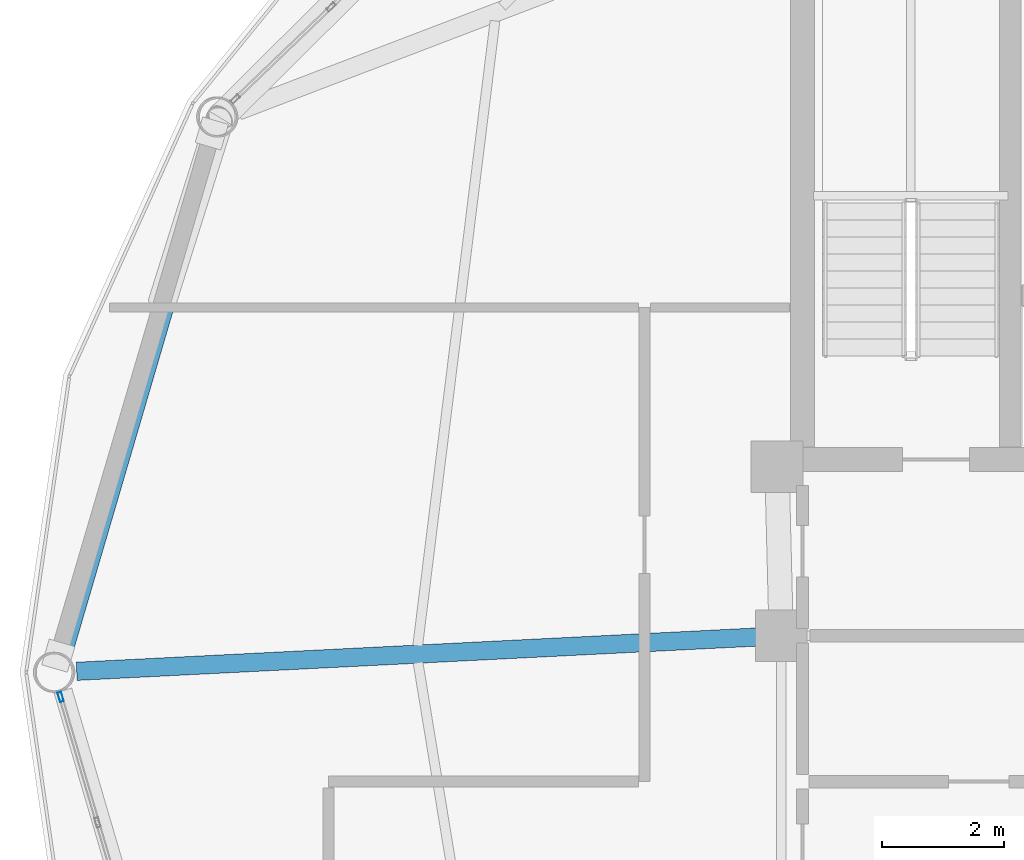
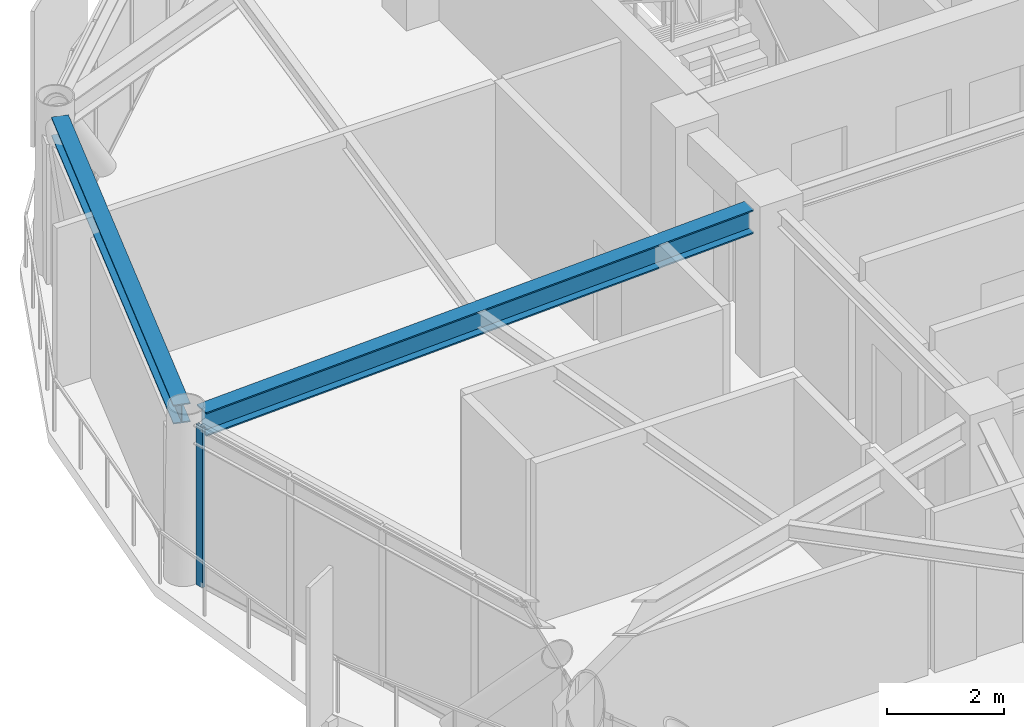
# One storey, part 11 of 28: 2 beams, 1 member, 1 element without a shape of its own.
"""IFC4 building model written with IfcOpenShell, lengths in metres."""

from ifc_helpers import new_model, si_unit, direction, frame, origin, origin_2d, place, context, subcontext, project, spatial, hollow_rectangle, i_section, extrude, material, layer, layer_set, material_profile, profile_set, type_object, element, aggregate, save


model = new_model("IFC4")

# Units and contexts
model_context = context("Model", 3, precision=1e-05, world=origin(), true_north=direction((0.0, 1.0)))
body_context = subcontext(model_context, "Body", "Model", "MODEL_VIEW")
ifc_project = project(units=[si_unit("LENGTHUNIT", "METRE"), si_unit("AREAUNIT", "SQUARE_METRE"), si_unit("VOLUMEUNIT", "CUBIC_METRE"), si_unit("PLANEANGLEUNIT", "RADIAN"), si_unit("MASSUNIT", "GRAM", prefix="KILO")], contexts=[model_context])

# Site, building, storey
site_placement = place(None, origin())
site = spatial("IfcSite", under=ifc_project, at=site_placement, CompositionType="ELEMENT")
building_placement = place(site_placement, origin())
building = spatial("IfcBuilding", under=site, at=building_placement, Name="Varnakorn Sky Granary", CompositionType="ELEMENT")
storey_placement = place(building_placement, frame((0.0, 0.0, 211.199951171875)))
storey = spatial("IfcBuildingStorey", under=building, at=storey_placement, Name="L53", CompositionType="ELEMENT", Elevation=211.199951171875)

# Beams
ifc_material_1 = material(Name="Steel S355JR", Category="steel")
ifc_material_profile_1 = material_profile(ifc_material_1, i_section(OverallWidth=0.300048828125, OverallDepth=0.5, WebThickness=0.014404296875, FlangeThickness=0.028076171875, at=origin_2d()), Name="HE 500 B")
ifc_profile_set_1 = profile_set([ifc_material_profile_1], Name="Steel S355JR")
beam_type_1 = type_object("IfcBeamType", Name="BM-RAD-Z4", PredefinedType="BEAM", material=ifc_profile_set_1)
beam_1_placement = place(storey_placement, frame((-2.75439453125, 0.57958984375, 3.110107421875), z_axis=(-0.998732583504, -0.050331169744, 0.0), x_axis=(0.050331169744, -0.998732583504, 0.0)))
element("IfcBeam", 1, at=beam_1_placement, inside=storey, type_object=beam_type_1, Name="Radial Floor Girder RG07 L53", PredefinedType="BEAM", context=body_context, shape_type="SweptSolid", body=[
    extrude(i_section(OverallWidth=0.300048828125, OverallDepth=0.5, WebThickness=0.014404296875, FlangeThickness=0.028076171875, at=origin_2d()), origin(), (0.0, 0.0, 1.0), 11.2001953125),
])
ifc_material_profile_2 = material_profile(ifc_material_1, i_section(OverallWidth=0.300048828125, OverallDepth=0.39990234375, WebThickness=0.013427734375, FlangeThickness=0.02392578125, at=origin_2d()), Name="HE 400 B")
ifc_profile_set_2 = profile_set([ifc_material_profile_2], Name="Steel S355JR")
beam_type_2 = type_object("IfcBeamType", Name="BM-SPD-Z4", PredefinedType="SPANDREL", material=ifc_profile_set_2)
beam_2_placement = place(storey_placement, frame((-11.667236328125, 8.818603515625, 3.16015625), z_axis=(-0.281566098607, -0.959541834479, 0.0), x_axis=(0.959541834479, -0.281566098607, 0.0)))
element("IfcBeam", 2, at=beam_2_placement, inside=storey, type_object=beam_type_2, Name="Perimeter Spandrel Ring Beam RB06 L53", PredefinedType="SPANDREL", context=body_context, shape_type="SweptSolid", body=[
    extrude(i_section(OverallWidth=0.300048828125, OverallDepth=0.39990234375, WebThickness=0.013427734375, FlangeThickness=0.02392578125, at=origin_2d()), origin(), (0.0, 0.0, 1.0), 8.87548828125),
])

# Curtain wall, member
ifc_material_2 = material(Name="Anodised Bronze Aluminium Alloy 6063-T6", Category="aluminium")
ifc_layer = layer(ifc_material_2, 0.169921875, Name="Anodised Bronze Aluminium Alloy 6063-T6")
ifc_layer_set = layer_set([ifc_layer], Name="Anodised Bronze Aluminium Alloy 6063-T6")
curtain_wall_type = type_object("IfcCurtainWallType", Name="CW-LAB-1", PredefinedType="USERDEFINED", material=ifc_layer_set)
curtain_wall_placement = place(storey_placement, origin())
curtain_wall = element("IfcCurtainWall", 3, at=curtain_wall_placement, inside=storey, type_object=curtain_wall_type, Name="Unitised Curtain Wall CW5 CW-L53-B07", ObjectType="CURTAIN WALL", PredefinedType="USERDEFINED")
ifc_material_profile_3 = material_profile(ifc_material_2, hollow_rectangle(XDim=0.06494140625, YDim=0.159912109375, WallThickness=0.00341796875, at=origin_2d()), Name="ALU MULL 65x160")
ifc_profile_set_3 = profile_set([ifc_material_profile_3], Name="Anodised Bronze Aluminium Alloy 6063-T6")
member_type = type_object("IfcMemberType", Name="CW-LAB-1-MULL", PredefinedType="MULLION", material=ifc_profile_set_3)
member_placement = place(storey_placement, frame((-14.203857421875, -0.4052734375, 0.0), z_axis=(0.0, 0.0, 1.0), x_axis=(-0.959425208919, -0.28196323961, 0.0)))
member = element("IfcMember", 4, at=member_placement, type_object=member_type, Name="CW5 mullion 5", PredefinedType="MULLION", context=body_context, shape_type="SweptSolid", body=[
    extrude(hollow_rectangle(XDim=0.06494140625, YDim=0.159912109375, WallThickness=0.00341796875, at=origin_2d()), origin(), (0.0, 0.0, 1.0), 3.360107421875),
])
aggregate(curtain_wall, [member])

save(model, "model.ifc")
